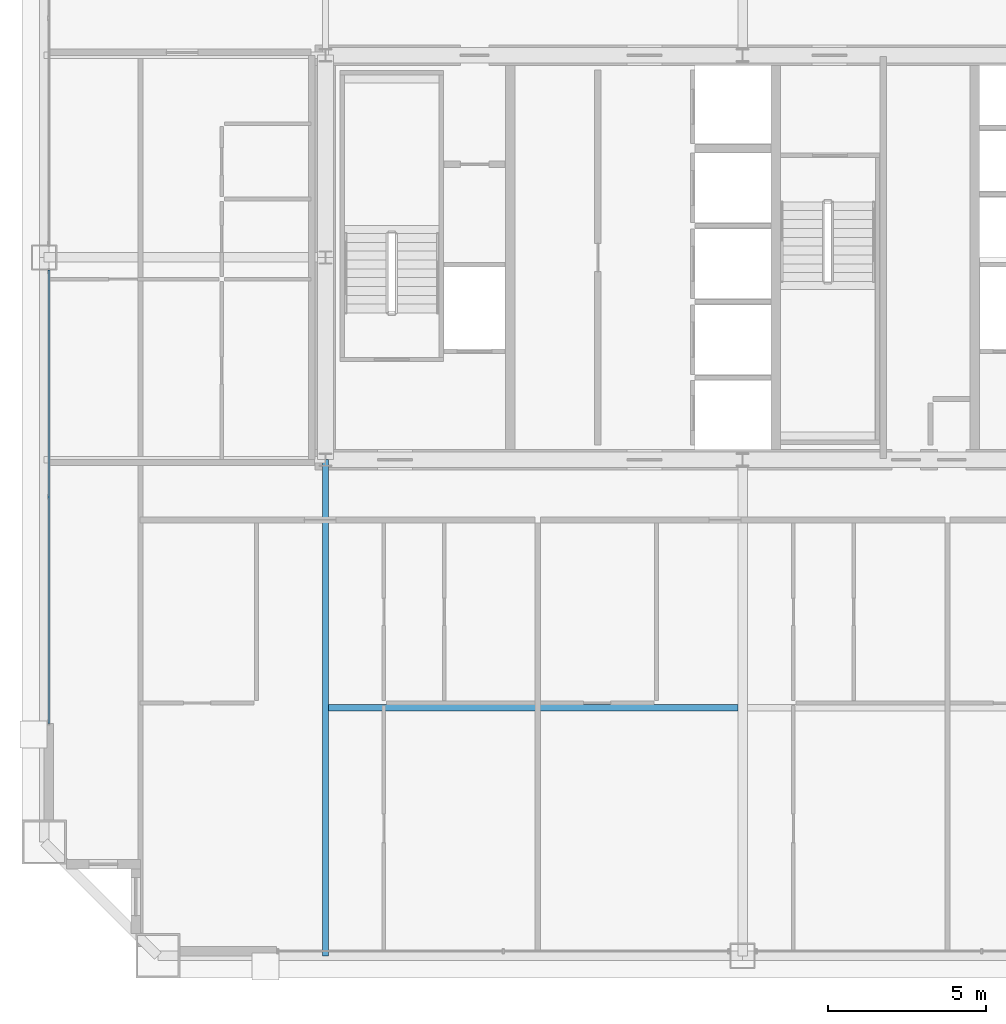
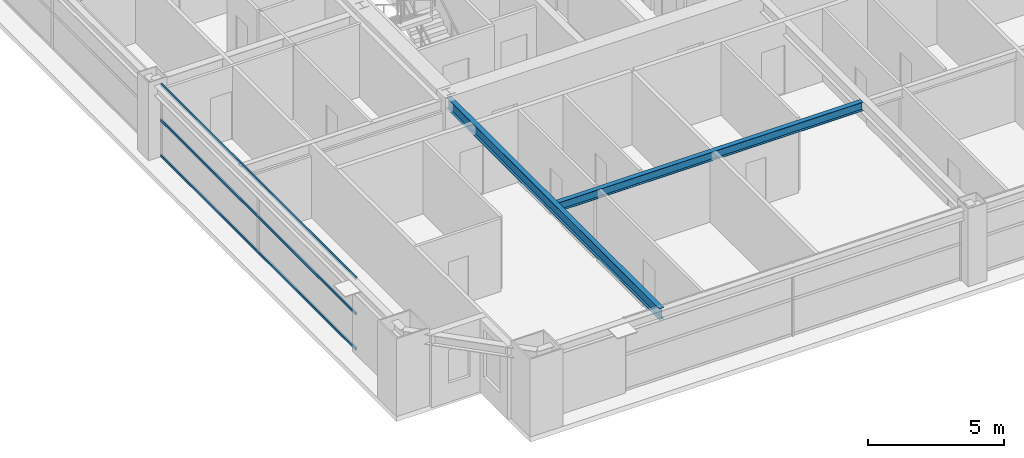
# One storey, part 9 of 38: 3 members, 2 beams, 1 element without a shape of its own.
"""IFC4 building model written with IfcOpenShell, lengths in metres."""

from ifc_helpers import new_model, si_unit, direction, frame, origin, origin_2d, place, context, subcontext, project, spatial, hollow_rectangle, i_section, extrude, source, transform, mapped, material, layer, layer_set, material_profile, profile_set, type_object, element, aggregate, save


model = new_model("IFC4")

# Units and contexts
model_context = context("Model", 3, precision=1e-05, world=origin(), true_north=direction((0.0, 1.0)))
body_context = subcontext(model_context, "Body", "Model", "MODEL_VIEW")
ifc_project = project(units=[si_unit("LENGTHUNIT", "METRE"), si_unit("AREAUNIT", "SQUARE_METRE"), si_unit("VOLUMEUNIT", "CUBIC_METRE"), si_unit("PLANEANGLEUNIT", "RADIAN"), si_unit("MASSUNIT", "GRAM", prefix="KILO"), si_unit("THERMODYNAMICTEMPERATUREUNIT", "KELVIN"), si_unit("POWERUNIT", "WATT")], contexts=[model_context])

# Site, building, storey
site_placement = place(None, origin())
site = spatial("IfcSite", under=ifc_project, at=site_placement, CompositionType="ELEMENT")
building_placement = place(site_placement, origin())
building = spatial("IfcBuilding", under=site, at=building_placement, Name="Yuzanri Waterfront Tower", CompositionType="ELEMENT")
storey_placement = place(building_placement, frame((0.0, 0.0, 202.0)))
storey = spatial("IfcBuildingStorey", under=building, at=storey_placement, Name="L53", CompositionType="ELEMENT", Elevation=202.0)

# Beams
ifc_material_1 = material(Name="Steel Q355B", Category="steel")
ifc_material_profile_1 = material_profile(ifc_material_1, i_section(OverallWidth=0.199951171875, OverallDepth=0.39990234375, WebThickness=0.008056640625, FlangeThickness=0.012939453125, at=origin_2d()), Name="HN 400x200x8x13")
ifc_profile_set_1 = profile_set([ifc_material_profile_1], Name="Steel Q355B")
beam_type_1 = type_object("IfcBeamType", Name="Floor Joist Q355B HN 400x200", PredefinedType="JOIST", material=ifc_profile_set_1)
shared_shape_1 = source(origin(), body_context, "Body", "SweptSolid", [
    extrude(i_section(OverallWidth=0.199951171875, OverallDepth=0.39990234375, WebThickness=0.008056640625, FlangeThickness=0.012939453125, at=origin_2d()), origin(), (0.0, 0.0, 1.0), 12.9501953125),
])
beam_1_placement = place(storey_placement, frame((23.89990234375, 11.550048828125, 3.080078125), z_axis=(1.0, 0.0, 0.0), x_axis=(0.0, 1.0, 0.0)))
element("IfcBeam", 1, at=beam_1_placement, inside=storey, type_object=beam_type_1, Name="L53 South Bay Joist W", PredefinedType="JOIST", context=body_context, shape_type="MappedRepresentation", body=[
    mapped(shared_shape_1, transform((0.0, 0.0, 0.0), scale=1.0)),
])
ifc_material_2 = material(Name="Steel Q355B", Category="steel")
ifc_material_profile_2 = material_profile(ifc_material_2, i_section(OverallWidth=0.199951171875, OverallDepth=0.5, WebThickness=0.010009765625, FlangeThickness=0.01611328125, at=origin_2d()), Name="HN 500x200x10x16")
ifc_profile_set_2 = profile_set([ifc_material_profile_2], Name="Steel Q355B")
beam_type_2 = type_object("IfcBeamType", Name="Secondary Floor Beam Q355B HN 500x200", PredefinedType="BEAM", material=ifc_profile_set_2)
shared_shape_2 = source(origin(), body_context, "Body", "SweptSolid", [
    extrude(i_section(OverallWidth=0.199951171875, OverallDepth=0.5, WebThickness=0.010009765625, FlangeThickness=0.01611328125, at=origin_2d()), origin(), (0.0, 0.0, 1.0), 15.699951171875),
])
beam_2_placement = place(storey_placement, frame((23.800048828125, 19.39990234375, 3.030029296875), z_axis=(0.0, -1.0, 0.0), x_axis=(1.0, 0.0, 0.0)))
element("IfcBeam", 2, at=beam_2_placement, inside=storey, type_object=beam_type_2, Name="L53 South-West Core Line Beam", PredefinedType="BEAM", context=body_context, shape_type="MappedRepresentation", body=[
    mapped(shared_shape_2, transform((0.0, 0.0, 0.0), scale=1.0)),
])

# Curtain wall, members
ifc_material_3 = material(Name="Anodized Architectural Bronze", Category="metal")
ifc_layer = layer(ifc_material_3, 0.159912109375)
ifc_layer_set = layer_set([ifc_layer], Name="Anodized Architectural Bronze")
curtain_wall_type = type_object("IfcCurtainWallType", Name="Anodized Bronze Mid-Rise Residential Acoustic Unitized Curtain Wall 7200", PredefinedType="NOTDEFINED", material=ifc_layer_set)
curtain_wall_placement = place(storey_placement, origin())
curtain_wall = element("IfcCurtainWall", 3, at=curtain_wall_placement, inside=storey, type_object=curtain_wall_type, Name="L53 Curtain Wall CW-L53-WL", PredefinedType="NOTDEFINED")
ifc_material_4 = material(Name="Anodized Architectural Bronze", Category="metal")
ifc_material_profile_3 = material_profile(ifc_material_4, hollow_rectangle(XDim=0.06494140625, YDim=0.1201171875, WallThickness=0.00341796875, at=origin_2d()), Name="CWT 65x120")
ifc_profile_set_3 = profile_set([ifc_material_profile_3], Name="Anodized Architectural Bronze")
member_type = type_object("IfcMemberType", Name="Anodized Bronze Secondary Curtain-Wall Transom 65x120", PredefinedType="USERDEFINED", material=ifc_profile_set_3)
shared_shape_3 = source(origin(), body_context, "Body", "SweptSolid", [
    extrude(hollow_rectangle(XDim=0.06494140625, YDim=0.1201171875, WallThickness=0.00341796875, at=origin_2d()), origin(), (0.0, 0.0, 1.0), 14.349853515625),
])
member_1_placement = place(storey_placement, frame((15.050048828125, 11.050048828125, 0.050048828125), z_axis=(0.0, 1.0, 0.0), x_axis=(-1.0, 0.0, 0.0)))
member_1 = element("IfcMember", 4, at=member_1_placement, type_object=member_type, Name="CW-L53-WL Transom 1", ObjectType="TRANSOM", PredefinedType="USERDEFINED", context=body_context, shape_type="MappedRepresentation", body=[
    mapped(shared_shape_3, transform((0.0, 0.0, 0.0), scale=1.0)),
])
member_2_placement = place(storey_placement, frame((15.050048828125, 11.050048828125, 1.639892578125), z_axis=(0.0, 1.0, 0.0), x_axis=(-1.0, 0.0, 0.0)))
member_2 = element("IfcMember", 5, at=member_2_placement, type_object=member_type, Name="CW-L53-WL Transom 2", ObjectType="TRANSOM", PredefinedType="USERDEFINED", context=body_context, shape_type="MappedRepresentation", body=[
    mapped(shared_shape_3, transform((0.0, 0.0, 0.0), scale=1.0)),
])
member_3_placement = place(storey_placement, frame((15.050048828125, 11.050048828125, 3.22998046875), z_axis=(0.0, 1.0, 0.0), x_axis=(-1.0, 0.0, 0.0)))
member_3 = element("IfcMember", 6, at=member_3_placement, type_object=member_type, Name="CW-L53-WL Transom 3", ObjectType="TRANSOM", PredefinedType="USERDEFINED", context=body_context, shape_type="MappedRepresentation", body=[
    mapped(shared_shape_3, transform((0.0, 0.0, 0.0), scale=1.0)),
])
aggregate(curtain_wall, [member_1, member_2, member_3])

save(model, "model.ifc")
